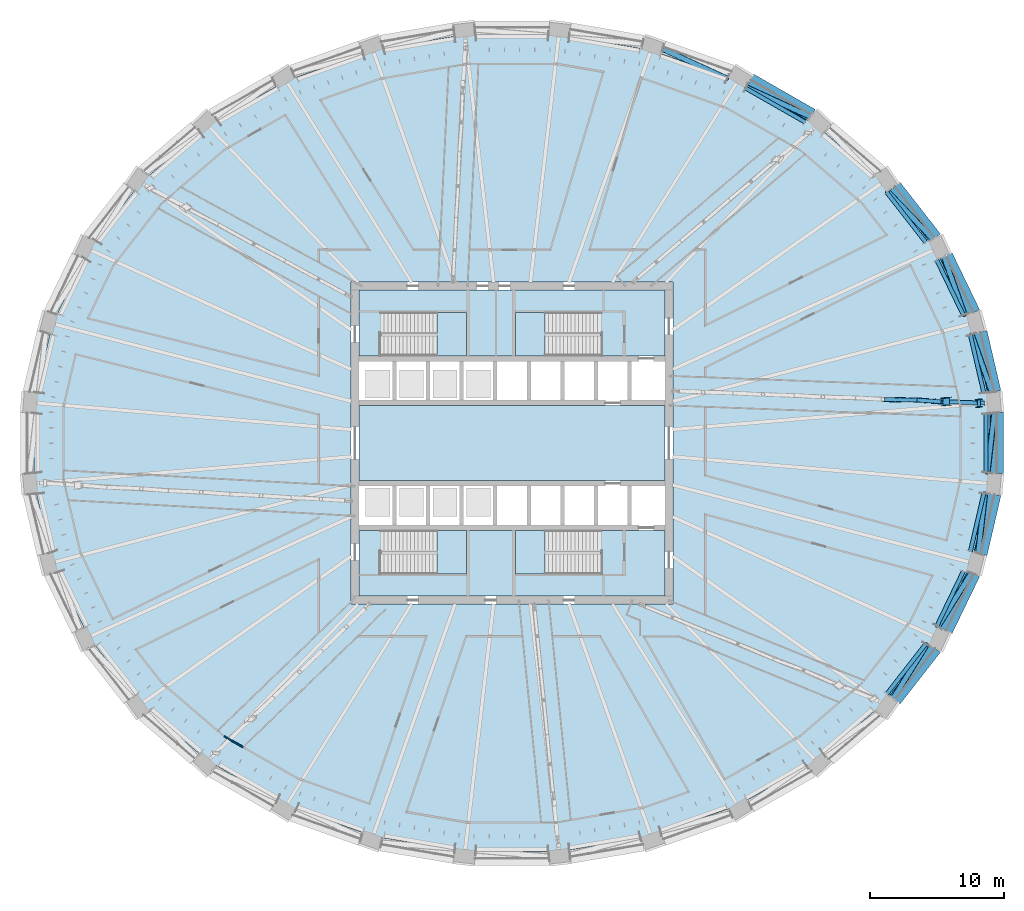
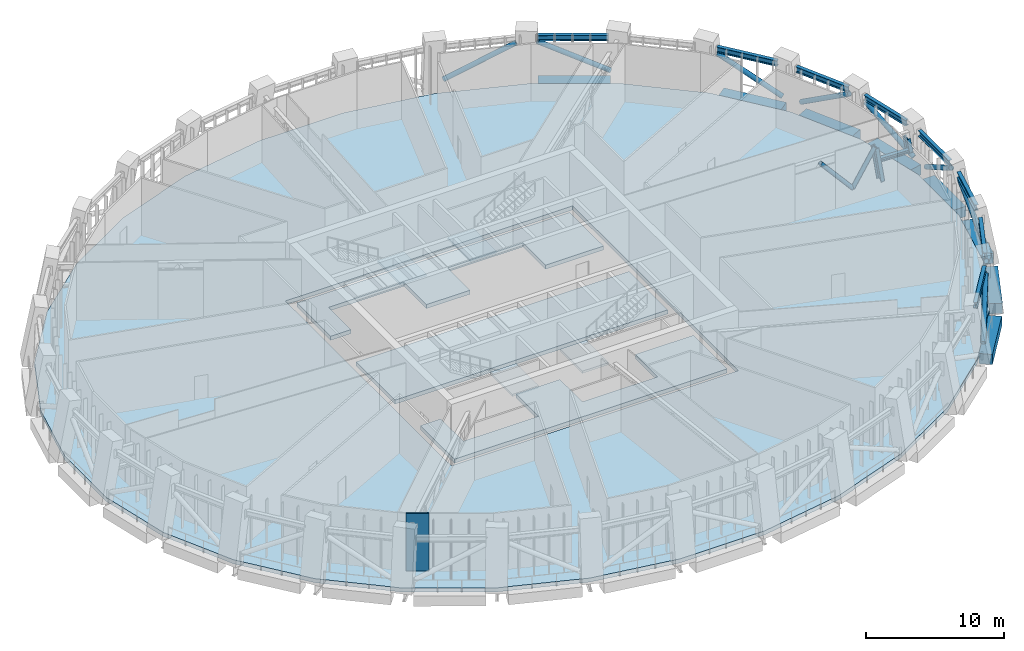
# One storey, part 6 of 22: 22 members, 8 beams, 8 slabs, 1 wall, 4 elements without a shape of their own.
"""IFC4 building model written with IfcOpenShell, lengths in metres."""

from ifc_helpers import new_model, si_unit, direction, frame, origin, origin_2d, place, context, subcontext, project, spatial, polyline, rectangle, hollow_circle, i_section, outline, extrude, material, layer, layer_set, material_profile, profile_set, type_object, element, aggregate, save


model = new_model("IFC4")

# Units and contexts
model_context = context("Model", 3, precision=1e-05, world=origin(), true_north=direction((0.0, 1.0)))
body_context = subcontext(model_context, "Body", "Model", "MODEL_VIEW")
ifc_project = project(units=[si_unit("LENGTHUNIT", "METRE"), si_unit("AREAUNIT", "SQUARE_METRE"), si_unit("VOLUMEUNIT", "CUBIC_METRE"), si_unit("PLANEANGLEUNIT", "RADIAN"), si_unit("MASSUNIT", "GRAM", prefix="KILO")], contexts=[model_context])

# Site, building, storey
site_placement = place(None, origin())
site = spatial("IfcSite", under=ifc_project, at=site_placement, CompositionType="ELEMENT")
building_placement = place(site_placement, origin())
building = spatial("IfcBuilding", under=site, at=building_placement, Name="Halqa Exchange Tower", CompositionType="ELEMENT")
storey_placement = place(building_placement, frame((0.0, 0.0, 99.10009765625)))
storey = spatial("IfcBuildingStorey", under=building, at=storey_placement, Name="L22", CompositionType="ELEMENT", Elevation=99.10009765625)

# Members
ifc_material_1 = material(Name="Steel S355", Category="steel")
ifc_material_profile_1 = material_profile(ifc_material_1, i_section(OverallWidth=0.300048828125, OverallDepth=0.5, WebThickness=0.014404296875, FlangeThickness=0.028076171875, FilletRadius=0.027099609375, at=origin_2d()), Name="HEB 500")
ifc_profile_set_1 = profile_set([ifc_material_profile_1], Name="Steel S355")
member_type_1 = type_object("IfcMemberType", Name="Belt truss chord HEB 500", PredefinedType="CHORD", material=ifc_profile_set_1)
member_1_placement = place(storey_placement, frame((35.15576171875, 3.740478515625, 4.25), z_axis=(-0.226097177995, 0.974104751093, 0.0), x_axis=(-0.974104751093, -0.226097177995, 0.0)))
element("IfcMember", 1, at=member_1_placement, inside=storey, type_object=member_type_1, Name="Belt chord 1", PredefinedType="CHORD", context=body_context, shape_type="SweptSolid", body=[
    extrude(i_section(OverallWidth=0.300048828125, OverallDepth=0.5, WebThickness=0.014404296875, FlangeThickness=0.028076171875, FilletRadius=0.027099609375, at=origin_2d()), origin(), (0.0, 0.0, 1.0), 4.450927734375),
])
member_2_placement = place(storey_placement, frame((33.6357421875, 9.533203125, 4.25), z_axis=(-0.435115224416, 0.900374778346, 0.0), x_axis=(-0.900374778346, -0.435115224416, 0.0)))
element("IfcMember", 2, at=member_2_placement, inside=storey, type_object=member_type_1, Name="Belt chord 2", PredefinedType="CHORD", context=body_context, shape_type="SweptSolid", body=[
    extrude(i_section(OverallWidth=0.300048828125, OverallDepth=0.5, WebThickness=0.014404296875, FlangeThickness=0.028076171875, FilletRadius=0.027099609375, at=origin_2d()), origin(), (0.0, 0.0, 1.0), 4.56787109375),
])
member_3_placement = place(storey_placement, frame((30.83349609375, 14.956787109375, 4.25), z_axis=(-0.614839492792, 0.788652266911, 0.0), x_axis=(-0.788652266911, -0.614839492792, 0.0)))
element("IfcMember", 3, at=member_3_placement, inside=storey, type_object=member_type_1, Name="Belt chord 3", PredefinedType="CHORD", context=body_context, shape_type="SweptSolid", body=[
    extrude(i_section(OverallWidth=0.300048828125, OverallDepth=0.5, WebThickness=0.014404296875, FlangeThickness=0.028076171875, FilletRadius=0.027099609375, at=origin_2d()), origin(), (0.0, 0.0, 1.0), 4.736328125),
])
member_4_placement = place(storey_placement, frame((21.85009765625, 23.908447265625, 4.25), z_axis=(-0.867784939112, 0.496939935455, 0.0), x_axis=(-0.496939935455, -0.867784939112, 0.0)))
element("IfcMember", 4, at=member_4_placement, inside=storey, type_object=member_type_1, Name="Belt chord 5", PredefinedType="CHORD", context=body_context, shape_type="SweptSolid", body=[
    extrude(i_section(OverallWidth=0.300048828125, OverallDepth=0.5, WebThickness=0.014404296875, FlangeThickness=0.028076171875, FilletRadius=0.027099609375, at=origin_2d()), origin(), (0.0, 0.0, 1.0), 5.119140625),
])
member_5_placement = place(storey_placement, frame((27.92138671875, -18.692138671875, 4.25), z_axis=(0.614839492792, 0.788652266911, 0.0), x_axis=(-0.788652266911, 0.614839492792, 0.0)))
element("IfcMember", 5, at=member_5_placement, inside=storey, type_object=member_type_1, Name="Belt chord 29", PredefinedType="CHORD", context=body_context, shape_type="SweptSolid", body=[
    extrude(i_section(OverallWidth=0.300048828125, OverallDepth=0.5, WebThickness=0.014404296875, FlangeThickness=0.028076171875, FilletRadius=0.027099609375, at=origin_2d()), origin(), (0.0, 0.0, 1.0), 4.736328125),
])
member_6_placement = place(storey_placement, frame((31.648193359375, -13.64599609375, 4.25), z_axis=(0.435115224416, 0.900374778346, 0.0), x_axis=(-0.900374778346, 0.435115224416, 0.0)))
element("IfcMember", 6, at=member_6_placement, inside=storey, type_object=member_type_1, Name="Belt chord 30", PredefinedType="CHORD", context=body_context, shape_type="SweptSolid", body=[
    extrude(i_section(OverallWidth=0.300048828125, OverallDepth=0.5, WebThickness=0.014404296875, FlangeThickness=0.028076171875, FilletRadius=0.027099609375, at=origin_2d()), origin(), (0.0, 0.0, 1.0), 4.56787109375),
])
member_7_placement = place(storey_placement, frame((34.1494140625, -8.076171875, 4.25), z_axis=(0.226097177995, 0.974104751093, 0.0), x_axis=(-0.974104751093, 0.226097177995, 0.0)))
element("IfcMember", 7, at=member_7_placement, inside=storey, type_object=member_type_1, Name="Belt chord 31", PredefinedType="CHORD", context=body_context, shape_type="SweptSolid", body=[
    extrude(i_section(OverallWidth=0.300048828125, OverallDepth=0.5, WebThickness=0.014404296875, FlangeThickness=0.028076171875, FilletRadius=0.027099609375, at=origin_2d()), origin(), (0.0, 0.0, 1.0), 4.450927734375),
])
member_8_placement = place(storey_placement, frame((35.33154296875, -2.20458984375, 4.25), z_axis=(0.0, 1.0, 0.0), x_axis=(-1.0, 0.0, 0.0)))
element("IfcMember", 8, at=member_8_placement, inside=storey, type_object=member_type_1, Name="Belt chord 32", PredefinedType="CHORD", context=body_context, shape_type="SweptSolid", body=[
    extrude(i_section(OverallWidth=0.300048828125, OverallDepth=0.5, WebThickness=0.014404296875, FlangeThickness=0.028076171875, FilletRadius=0.027099609375, at=origin_2d()), origin(), (0.0, 0.0, 1.0), 4.4091796875),
])
ifc_material_profile_2 = material_profile(ifc_material_1, hollow_circle(Radius=0.203125, WallThickness=0.02490234375, at=origin_2d()), Name="CHS 406.4x25")
ifc_profile_set_2 = profile_set([ifc_material_profile_2], Name="Steel S355")
member_type_2 = type_object("IfcMemberType", Name="Belt truss diagonal CHS 406.4x25", PredefinedType="BRACE", material=ifc_profile_set_2)
member_9_placement = place(storey_placement, frame((35.75830078125, 3.78857421875, 0.983642578125), z_axis=(-0.284643851604, 0.804693401744, 0.52100518897), x_axis=(-0.942756831378, -0.333480969308, 0.0)))
element("IfcMember", 9, at=member_9_placement, inside=storey, type_object=member_type_2, Name="Belt diagonal 1", PredefinedType="BRACE", context=body_context, shape_type="SweptSolid", body=[
    extrude(hollow_circle(Radius=0.203125, WallThickness=0.02490234375, at=origin_2d()), origin(), (0.0, 0.0, 1.0), 5.364990234375),
])
member_10_placement = place(storey_placement, frame((33.716064453125, 9.561279296875, 3.77880859375), z_axis=(-0.284916369699, 0.804616929726, -0.520974335909), x_axis=(-0.942646441403, -0.333792879658, 0.0)))
element("IfcMember", 10, at=member_10_placement, inside=storey, type_object=member_type_2, Name="Belt diagonal 2", PredefinedType="BRACE", context=body_context, shape_type="SweptSolid", body=[
    extrude(hollow_circle(Radius=0.203125, WallThickness=0.02490234375, at=origin_2d()), origin(), (0.0, 0.0, 1.0), 5.36669921875),
])
member_11_placement = place(storey_placement, frame((31.377197265625, 15.195556640625, 0.956787109375), z_axis=(-0.598428761565, 0.625202270969, 0.501004129431), x_axis=(-0.72240563928, -0.691469516564, 0.0)))
element("IfcMember", 11, at=member_11_placement, inside=storey, type_object=member_type_2, Name="Belt diagonal 3", PredefinedType="BRACE", context=body_context, shape_type="SweptSolid", body=[
    extrude(hollow_circle(Radius=0.203125, WallThickness=0.02490234375, at=origin_2d()), origin(), (0.0, 0.0, 1.0), 5.680908203125),
])
member_12_placement = place(storey_placement, frame((22.249755859375, 24.310302734375, 0.929443359375), z_axis=(-0.79741158459, 0.36543142629, 0.480202704534), x_axis=(-0.416608655388, -0.909085930073, 0.0)))
element("IfcMember", 12, at=member_12_placement, inside=storey, type_object=member_type_2, Name="Belt diagonal 5", PredefinedType="BRACE", context=body_context, shape_type="SweptSolid", body=[
    extrude(hollow_circle(Radius=0.203125, WallThickness=0.02490234375, at=origin_2d()), origin(), (0.0, 0.0, 1.0), 6.034912109375),
])
member_13_placement = place(storey_placement, frame((16.033935546875, 27.158935546875, 3.827392578125), z_axis=(-0.797519041409, 0.365229584336, -0.480177810103), x_axis=(-0.416372077243, -0.909194309976, 0.0)))
element("IfcMember", 13, at=member_13_placement, inside=storey, type_object=member_type_2, Name="Belt diagonal 6", PredefinedType="BRACE", context=body_context, shape_type="SweptSolid", body=[
    extrude(hollow_circle(Radius=0.203125, WallThickness=0.02490234375, at=origin_2d()), origin(), (0.0, 0.0, 1.0), 6.0361328125),
])
member_14_placement = place(storey_placement, frame((28.398193359375, -19.01318359375, 0.97021484375), z_axis=(0.454655537217, 0.728778909876, 0.512025041377), x_axis=(-0.848432968929, 0.529302840757, 0.0)))
element("IfcMember", 14, at=member_14_placement, inside=storey, type_object=member_type_2, Name="Belt diagonal 29", PredefinedType="BRACE", context=body_context, shape_type="SweptSolid", body=[
    extrude(hollow_circle(Radius=0.203125, WallThickness=0.02490234375, at=origin_2d()), origin(), (0.0, 0.0, 1.0), 5.5068359375),
])
member_15_placement = place(storey_placement, frame((31.71875, -13.689697265625, 3.789794921875), z_axis=(0.454383380528, 0.728929777295, -0.512051875567), x_axis=(-0.848624409941, 0.52899585145, 0.0)))
element("IfcMember", 15, at=member_15_placement, inside=storey, type_object=member_type_2, Name="Belt diagonal 30", PredefinedType="BRACE", context=body_context, shape_type="SweptSolid", body=[
    extrude(hollow_circle(Radius=0.203125, WallThickness=0.02490234375, at=origin_2d()), origin(), (0.0, 0.0, 1.0), 5.503662109375),
])
member_16_placement = place(storey_placement, frame((34.72900390625, -8.21875, 0.990234375), z_axis=(0.097252695777, 0.844902988232, 0.526004613706), x_axis=(-0.993440510272, 0.114350131393, 0.0)))
element("IfcMember", 16, at=member_16_placement, inside=storey, type_object=member_type_2, Name="Belt diagonal 31", PredefinedType="BRACE", context=body_context, shape_type="SweptSolid", body=[
    extrude(hollow_circle(Radius=0.203125, WallThickness=0.02490234375, at=origin_2d()), origin(), (0.0, 0.0, 1.0), 5.289306640625),
])
member_17_placement = place(storey_placement, frame((35.41943359375, -2.2158203125, 3.7724609375), z_axis=(0.096954747787, 0.844950705368, -0.525982967766), x_axis=(-0.993480978209, 0.113998008477, 0.0)))
element("IfcMember", 17, at=member_17_placement, inside=storey, type_object=member_type_2, Name="Belt diagonal 32", PredefinedType="BRACE", context=body_context, shape_type="SweptSolid", body=[
    extrude(hollow_circle(Radius=0.203125, WallThickness=0.02490234375, at=origin_2d()), origin(), (0.0, 0.0, 1.0), 5.29052734375),
])
ifc_material_profile_3 = material_profile(ifc_material_1, hollow_circle(Radius=0.161865234375, WallThickness=0.01611328125, at=origin_2d()), Name="CHS 323.9x16")
ifc_profile_set_3 = profile_set([ifc_material_profile_3], Name="Steel S355")
member_type_3 = type_object("IfcMemberType", Name="Outrigger diagonal CHS 323.9x16", PredefinedType="BRACE", material=ifc_profile_set_3)
member_18_placement = place(storey_placement, frame((27.6328125, 3.2548828125, 3.60595703125), z_axis=(0.653379159979, -0.01328442311, -0.756914260275), x_axis=(0.020327673399, 0.999793371499, 0.0)))
element("IfcMember", 18, at=member_18_placement, inside=storey, type_object=member_type_3, Name="Outrigger 1 diagonal", PredefinedType="BRACE", context=body_context, shape_type="SweptSolid", body=[
    extrude(hollow_circle(Radius=0.161865234375, WallThickness=0.01611328125, at=origin_2d()), origin(), (0.0, 0.0, 1.0), 4.098388671875),
])
member_19_placement = place(storey_placement, frame((30.310546875, 3.200439453125, 0.50390625), z_axis=(0.49917110187, -0.036180706401, 0.865747750527), x_axis=(0.072291925589, 0.997383515752, 0.0)))
element("IfcMember", 19, at=member_19_placement, inside=storey, type_object=member_type_3, Name="Outrigger 1 diagonal", PredefinedType="BRACE", context=body_context, shape_type="SweptSolid", body=[
    extrude(hollow_circle(Radius=0.161865234375, WallThickness=0.01611328125, at=origin_2d()), origin(), (0.0, 0.0, 1.0), 3.5830078125),
])
ifc_material_profile_4 = material_profile(ifc_material_1, i_section(OverallWidth=0.300048828125, OverallDepth=0.300048828125, WebThickness=0.010986328125, FlangeThickness=0.01904296875, FilletRadius=0.027099609375, at=origin_2d()), Name="HEB 300")
ifc_profile_set_4 = profile_set([ifc_material_profile_4], Name="Steel S355")
member_type_4 = type_object("IfcMemberType", Name="Outrigger opening chord HEB 300", PredefinedType="CHORD", material=ifc_profile_set_4)
member_20_placement = place(storey_placement, frame((32.3017578125, 3.087890625, 2.349853515625), z_axis=(0.999198134494, -0.0400385817, 0.0), x_axis=(0.0400385817, 0.999198134494, 0.0)))
element("IfcMember", 20, at=member_20_placement, inside=storey, type_object=member_type_4, Name="Outrigger 1 opening chord", PredefinedType="CHORD", context=body_context, shape_type="SweptSolid", body=[
    extrude(i_section(OverallWidth=0.300048828125, OverallDepth=0.300048828125, WebThickness=0.010986328125, FlangeThickness=0.01904296875, FilletRadius=0.027099609375, at=origin_2d()), origin(), (0.0, 0.0, 1.0), 2.902587890625),
])
ifc_material_profile_5 = material_profile(ifc_material_1, i_section(OverallWidth=0.300048828125, OverallDepth=0.60009765625, WebThickness=0.015380859375, FlangeThickness=0.030029296875, FilletRadius=0.027099609375, at=origin_2d()), Name="HEB 600")
ifc_profile_set_5 = profile_set([ifc_material_profile_5], Name="Steel S355")
member_type_5 = type_object("IfcMemberType", Name="Outrigger post HEB 600", PredefinedType="POST", material=ifc_profile_set_5)
member_21_placement = place(storey_placement, frame((32.599365234375, 3.113037109375, 0.50390625), z_axis=(-0.159191185982, -0.01344073947, 0.987156275788), x_axis=(0.986133377982, 0.045331349299, 0.159643445216)))
element("IfcMember", 21, at=member_21_placement, inside=storey, type_object=member_type_5, Name="Outrigger 1 post", PredefinedType="POST", context=body_context, shape_type="SweptSolid", body=[
    extrude(i_section(OverallWidth=0.300048828125, OverallDepth=0.60009765625, WebThickness=0.015380859375, FlangeThickness=0.030029296875, FilletRadius=0.027099609375, at=origin_2d()), origin(), (0.0, 0.0, 1.0), 3.142333984375),
])
member_22_placement = place(storey_placement, frame((34.9033203125, 2.983154296875, 2.349853515625), z_axis=(-0.181185032411, -0.015289876153, 0.983330160077), x_axis=(0.982325483067, 0.044967500768, 0.181699117203)))
element("IfcMember", 22, at=member_22_placement, inside=storey, type_object=member_type_5, Name="Outrigger 1 post", PredefinedType="POST", context=body_context, shape_type="SweptSolid", body=[
    extrude(i_section(OverallWidth=0.300048828125, OverallDepth=0.60009765625, WebThickness=0.015380859375, FlangeThickness=0.030029296875, FilletRadius=0.027099609375, at=origin_2d()), origin(), (0.0, 0.0, 1.0), 1.27734375),
])

# Beams
ifc_material_2 = material(Name="Concrete C60/75", Category="concrete")
ifc_material_profile_6 = material_profile(ifc_material_2, rectangle(XDim=1.0, YDim=0.89990234375, at=origin_2d()), Name="1000 x 900")
ifc_profile_set_6 = profile_set([ifc_material_profile_6], Name="Concrete C60/75")
beam_type = type_object("IfcBeamType", Name="RC spandrel beam 1000 x 900 C60/75", PredefinedType="SPANDREL", material=ifc_profile_set_6)
beam_1_placement = place(storey_placement, frame((35.939208984375, 3.805908203125, -0.4501953125), z_axis=(-0.226091821928, 0.974105994262, 0.0), x_axis=(-0.974105994262, -0.226091821928, 0.0)))
element("IfcBeam", 23, at=beam_1_placement, inside=storey, type_object=beam_type, Name="Spandrel 1", PredefinedType="SPANDREL", context=body_context, shape_type="SweptSolid", body=[
    extrude(rectangle(XDim=1.0, YDim=0.89990234375, at=origin_2d()), origin(), (0.0, 0.0, 1.0), 4.5859375),
])
beam_2_placement = place(storey_placement, frame((34.388671875, 9.7294921875, -0.4501953125), z_axis=(-0.435149722828, 0.900358105824, 0.0), x_axis=(-0.900358105824, -0.435149722828, 0.0)))
element("IfcBeam", 24, at=beam_2_placement, inside=storey, type_object=beam_type, Name="Spandrel 2", PredefinedType="SPANDREL", context=body_context, shape_type="SweptSolid", body=[
    extrude(rectangle(XDim=1.0, YDim=0.89990234375, at=origin_2d()), origin(), (0.0, 0.0, 1.0), 4.70263671875),
])
beam_3_placement = place(storey_placement, frame((31.52783203125, 15.2744140625, -0.4501953125), z_axis=(-0.614817026553, 0.788669781252, 0.0), x_axis=(-0.788669781252, -0.614817026553, 0.0)))
element("IfcBeam", 25, at=beam_3_placement, inside=storey, type_object=beam_type, Name="Spandrel 3", PredefinedType="SPANDREL", context=body_context, shape_type="SweptSolid", body=[
    extrude(rectangle(XDim=1.0, YDim=0.89990234375, at=origin_2d()), origin(), (0.0, 0.0, 1.0), 4.877197265625),
])
beam_4_placement = place(storey_placement, frame((22.349609375, 24.4296875, -0.4501953125), z_axis=(-0.867743454254, 0.497012371677, 0.0), x_axis=(-0.497012371677, -0.867743454254, 0.0)))
element("IfcBeam", 26, at=beam_4_placement, inside=storey, type_object=beam_type, Name="Spandrel 5", PredefinedType="SPANDREL", context=body_context, shape_type="SweptSolid", body=[
    extrude(rectangle(XDim=1.0, YDim=0.89990234375, at=origin_2d()), origin(), (0.0, 0.0, 1.0), 5.266357421875),
])
beam_5_placement = place(storey_placement, frame((28.529296875, -19.120849609375, -0.4501953125), z_axis=(0.614817026553, 0.788669781252, 0.0), x_axis=(-0.788669781252, 0.614817026553, 0.0)))
element("IfcBeam", 27, at=beam_5_placement, inside=storey, type_object=beam_type, Name="Spandrel 29", PredefinedType="SPANDREL", context=body_context, shape_type="SweptSolid", body=[
    extrude(rectangle(XDim=1.0, YDim=0.89990234375, at=origin_2d()), origin(), (0.0, 0.0, 1.0), 4.877197265625),
])
beam_6_placement = place(storey_placement, frame((32.34228515625, -13.963623046875, -0.4501953125), z_axis=(0.435149722828, 0.900358105824, 0.0), x_axis=(-0.900358105824, 0.435149722828, 0.0)))
element("IfcBeam", 28, at=beam_6_placement, inside=storey, type_object=beam_type, Name="Spandrel 30", PredefinedType="SPANDREL", context=body_context, shape_type="SweptSolid", body=[
    extrude(rectangle(XDim=1.0, YDim=0.89990234375, at=origin_2d()), origin(), (0.0, 0.0, 1.0), 4.70263671875),
])
beam_7_placement = place(storey_placement, frame((34.90234375, -8.273193359375, -0.4501953125), z_axis=(0.226091821928, 0.974105994262, 0.0), x_axis=(-0.974105994262, 0.226091821928, 0.0)))
element("IfcBeam", 29, at=beam_7_placement, inside=storey, type_object=beam_type, Name="Spandrel 31", PredefinedType="SPANDREL", context=body_context, shape_type="SweptSolid", body=[
    extrude(rectangle(XDim=1.0, YDim=0.89990234375, at=origin_2d()), origin(), (0.0, 0.0, 1.0), 4.5859375),
])
beam_8_placement = place(storey_placement, frame((36.11474609375, -2.271484375, -0.4501953125), z_axis=(0.0, 1.0, 0.0), x_axis=(-1.0, 0.0, 0.0)))
element("IfcBeam", 30, at=beam_8_placement, inside=storey, type_object=beam_type, Name="Spandrel 32", PredefinedType="SPANDREL", context=body_context, shape_type="SweptSolid", body=[
    extrude(rectangle(XDim=1.0, YDim=0.89990234375, at=origin_2d()), origin(), (0.0, 0.0, 1.0), 4.54296875),
])

# Slabs
ifc_layer_1 = layer(ifc_material_2, 0.35009765625)
ifc_layer_set_1 = layer_set([ifc_layer_1], Name="Concrete C60/75")
slab_type_1 = type_object("IfcSlabType", Name="Core floor slab 350", PredefinedType="FLOOR", material=ifc_layer_set_1)
slab_1_placement = place(storey_placement, frame((0.0, 0.0, -0.35009765625)))
element("IfcSlab", 31, at=slab_1_placement, inside=storey, type_object=slab_type_1, Name="Core floor slab", PredefinedType="FLOOR", context=body_context, shape_type="SweptSolid", body=[
    extrude(outline(polyline([(-11.39990234375, 2.800048828125), (11.39990234375, 2.800048828125), (11.39990234375, -2.800048828125), (-11.39990234375, -2.800048828125), (-11.39990234375, 2.800048828125)])), origin(), (0.0, 0.0, 1.0), 0.35009765625),
])
slab_2_placement = place(storey_placement, frame((0.0, 0.0, -0.35009765625)))
element("IfcSlab", 32, at=slab_2_placement, inside=storey, type_object=slab_type_1, Name="Core floor slab", PredefinedType="FLOOR", context=body_context, shape_type="SweptSolid", body=[
    extrude(outline(polyline([(-11.39990234375, 11.39990234375), (11.39990234375, 11.39990234375), (11.39990234375, 6.5), (6.550048828125, 6.5), (6.550048828125, 9.75), (0.25, 9.75), (0.25, 6.5), (-3.39990234375, 6.5), (-3.39990234375, 9.75), (-9.699951171875, 9.75), (-9.699951171875, 6.5), (-11.39990234375, 6.5), (-11.39990234375, 11.39990234375)])), origin(), (0.0, 0.0, 1.0), 0.35009765625),
])
slab_3_placement = place(storey_placement, frame((0.0, 0.0, -0.35009765625)))
element("IfcSlab", 33, at=slab_3_placement, inside=storey, type_object=slab_type_1, Name="Core floor slab", PredefinedType="FLOOR", context=body_context, shape_type="SweptSolid", body=[
    extrude(outline(polyline([(-9.699951171875, -9.75), (-3.39990234375, -9.75), (-3.39990234375, -6.5), (0.25, -6.5), (0.25, -9.75), (6.550048828125, -9.75), (6.550048828125, -6.5), (11.39990234375, -6.5), (11.39990234375, -11.39990234375), (-11.39990234375, -11.39990234375), (-11.39990234375, -6.5), (-9.699951171875, -6.5), (-9.699951171875, -9.75)])), origin(), (0.0, 0.0, 1.0), 0.35009765625),
])
ifc_material_3 = material(Name="Concrete C40/50", Category="concrete")
ifc_layer_2 = layer(ifc_material_3, 0.35009765625)
ifc_layer_set_2 = layer_set([ifc_layer_2], Name="Concrete C40/50")
slab_type_2 = type_object("IfcSlabType", Name="RC floor slab 350", PredefinedType="FLOOR", material=ifc_layer_set_2)
slab_4_placement = place(storey_placement, frame((0.0, 0.0, -0.35009765625)))
element("IfcSlab", 34, at=slab_4_placement, inside=storey, type_object=slab_type_2, Name="Floor slab", PredefinedType="FLOOR", context=body_context, shape_type="SweptSolid", body=[
    extrude(outline(polyline([(35.61474609375, 2.99169921875), (35.61474609375, -2.99169921875), (34.25244140625, -8.862060546875), (31.577392578125, -14.3974609375), (27.688720703125, -19.385986328125), (22.732421875, -23.63427734375), (16.897216796875, -26.976318359375), (10.40771484375, -29.2802734375), (3.5146484375, -30.45556640625), (-3.5146484375, -30.45556640625), (-10.40771484375, -29.2802734375), (-16.897216796875, -26.976318359375), (-22.732421875, -23.63427734375), (-27.688720703125, -19.385986328125), (-31.577392578125, -14.3974609375), (-34.25244140625, -8.862060546875), (-35.61474609375, -2.99169921875), (-35.61474609375, 2.99169921875), (-34.25244140625, 8.862060546875), (-31.577392578125, 14.3974609375), (-27.688720703125, 19.385986328125), (-22.732421875, 23.63427734375), (-16.897216796875, 26.976318359375), (-10.40771484375, 29.2802734375), (-3.5146484375, 30.45556640625), (3.5146484375, 30.45556640625), (10.40771484375, 29.2802734375), (16.897216796875, 26.976318359375), (22.732421875, 23.63427734375), (27.688720703125, 19.385986328125), (31.577392578125, 14.3974609375), (34.25244140625, 8.862060546875), (35.61474609375, 2.99169921875)]), holes=[polyline([(-12.0, -12.0), (12.0, -12.0), (12.0, 12.0), (-12.0, 12.0), (-12.0, -12.0)])]), origin(), (0.0, 0.0, 1.0), 0.35009765625),
])

# Stair, slab
ifc_material_4 = material(Name="Concrete C30/37", Category="concrete")
stair_type = type_object("IfcStairType", Name="Exit stair 1500 wide", PredefinedType="HALF_TURN_STAIR", material=ifc_material_4)
stair_1_placement = place(storey_placement, origin())
stair_1 = element("IfcStair", 35, at=stair_1_placement, inside=storey, type_object=stair_type, Name="Exit stair ST1", PredefinedType="HALF_TURN_STAIR")
ifc_layer_3 = layer(ifc_material_4, 0.199951171875)
ifc_layer_set_3 = layer_set([ifc_layer_3], Name="Concrete C30/37")
slab_type_3 = type_object("IfcSlabType", Name="Stair landing 200 slab", PredefinedType="LANDING", material=ifc_layer_set_3)
slab_5_placement = place(storey_placement, frame((0.0, 0.0, 2.5)))
slab_5 = element("IfcSlab", 36, at=slab_5_placement, type_object=slab_type_3, Name="ST1 landing 1", PredefinedType="LANDING", context=body_context, shape_type="SweptSolid", body=[
    extrude(outline(polyline([(-5.60009765625, 6.5), (-3.39990234375, 6.5), (-3.39990234375, 9.75), (-5.60009765625, 9.75), (-5.60009765625, 6.5)])), origin(), (0.0, 0.0, 1.0), 0.199951171875),
])
aggregate(stair_1, [slab_5])

stair_2_placement = place(storey_placement, origin())
stair_2 = element("IfcStair", 37, at=stair_2_placement, inside=storey, type_object=stair_type, Name="Exit stair ST2", PredefinedType="HALF_TURN_STAIR")
slab_6_placement = place(storey_placement, frame((0.0, 0.0, 2.5)))
slab_6 = element("IfcSlab", 38, at=slab_6_placement, type_object=slab_type_3, Name="ST2 landing 1", PredefinedType="LANDING", context=body_context, shape_type="SweptSolid", body=[
    extrude(outline(polyline([(0.25, 6.5), (2.449951171875, 6.5), (2.449951171875, 9.75), (0.25, 9.75), (0.25, 6.5)])), origin(), (0.0, 0.0, 1.0), 0.199951171875),
])
aggregate(stair_2, [slab_6])

stair_3_placement = place(storey_placement, origin())
stair_3 = element("IfcStair", 39, at=stair_3_placement, inside=storey, type_object=stair_type, Name="Exit stair ST3", PredefinedType="HALF_TURN_STAIR")
slab_7_placement = place(storey_placement, frame((0.0, 0.0, 2.5)))
slab_7 = element("IfcSlab", 40, at=slab_7_placement, type_object=slab_type_3, Name="ST3 landing 1", PredefinedType="LANDING", context=body_context, shape_type="SweptSolid", body=[
    extrude(outline(polyline([(-5.60009765625, -9.75), (-3.39990234375, -9.75), (-3.39990234375, -6.5), (-5.60009765625, -6.5), (-5.60009765625, -9.75)])), origin(), (0.0, 0.0, 1.0), 0.199951171875),
])
aggregate(stair_3, [slab_7])

stair_4_placement = place(storey_placement, origin())
stair_4 = element("IfcStair", 41, at=stair_4_placement, inside=storey, type_object=stair_type, Name="Exit stair ST4", PredefinedType="HALF_TURN_STAIR")
slab_8_placement = place(storey_placement, frame((0.0, 0.0, 2.5)))
slab_8 = element("IfcSlab", 42, at=slab_8_placement, type_object=slab_type_3, Name="ST4 landing 1", PredefinedType="LANDING", context=body_context, shape_type="SweptSolid", body=[
    extrude(outline(polyline([(0.25, -9.75), (2.449951171875, -9.75), (2.449951171875, -6.5), (0.25, -6.5), (0.25, -9.75)])), origin(), (0.0, 0.0, 1.0), 0.199951171875),
])
aggregate(stair_4, [slab_8])

# Wall
ifc_material_5 = material(Name="Gypsum board")
ifc_layer_4 = layer(ifc_material_5, 0.10009765625)
ifc_layer_set_4 = layer_set([ifc_layer_4], Name="Gypsum board")
wall_type = type_object("IfcWallType", Name="Partition 100 gypsum", PredefinedType="PARTITIONING", material=ifc_layer_set_4)
wall_placement = place(storey_placement, frame((-21.464111328125, -21.82763671875, 0.0), z_axis=(0.0, 0.0, 1.0), x_axis=(0.867515133923, -0.497410788398, 0.0)))
element("IfcWall", 43, at=wall_placement, inside=storey, type_object=wall_type, Name="L22-PWL-021", PredefinedType="PARTITIONING", context=body_context, shape_type="SweptSolid", body=[
    extrude(outline(polyline([(1.653076171875, 0.050048828125), (0.00927734375, 0.050048828125), (0.0, -0.050048828125), (1.653076171875, -0.050048828125), (1.653076171875, 0.050048828125)])), origin(), (0.0, 0.0, 1.0), 5.099853515625),
])

save(model, "model.ifc")
